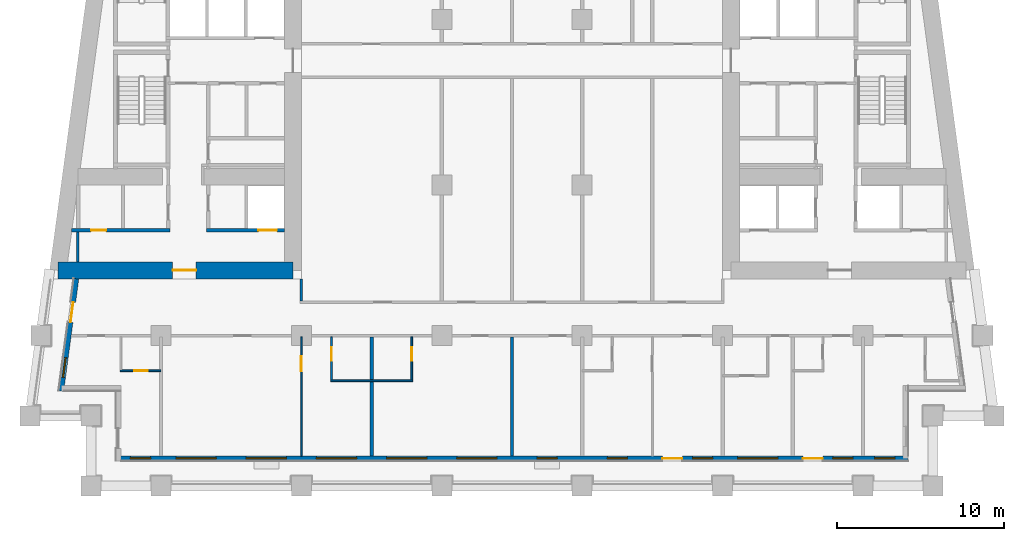
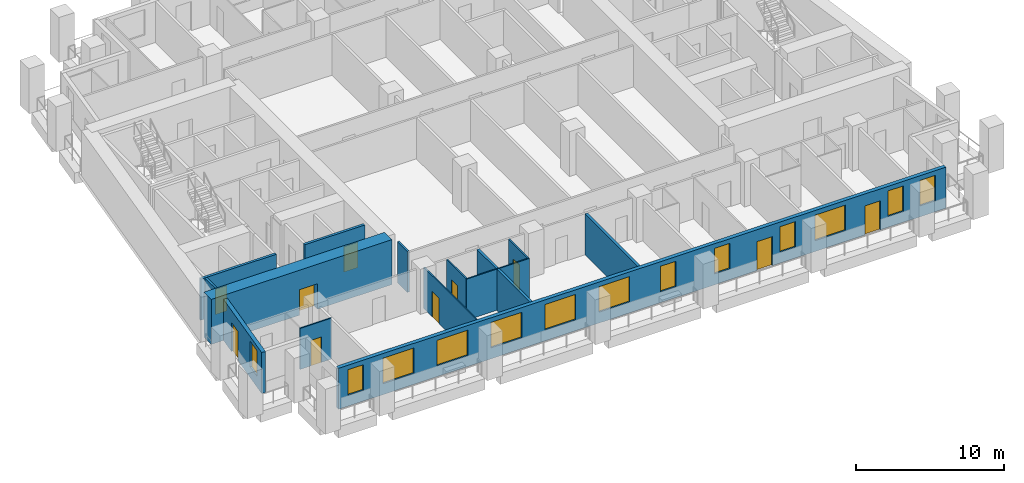
# One storey, part 2 of 13: 14 walls, 13 windows, 10 doors, 23 openings.
"""IFC4 building model written with IfcOpenShell, lengths in metres."""

import ifcopenshell
import ifcopenshell.guid

model = None  # the IFC model being written
_history = None  # IfcOwnerHistory: only IFC2X3 demands one
_inside = {}  # id of a spatial element -> (the spatial element, [elements in it])
_under = {}  # id of a project, library or spatial element -> (it, [spatial elements below it])
_declared = {}  # id of a project -> (the project, [libraries it declares])
_typed = {}  # id of a type object -> (the type object, [elements of that type])
_made_of = {}  # id of a material, layer set ... -> (it, [elements and type objects made of it])


def new_model(schema):
    """Start an empty IFC model of exactly this schema.

    Asked for "IFC4X3", IfcOpenShell would pick the latest addendum, in which some entities
    have other attributes; the version numbers below select the first issue.
    IFC2X3 requires an IfcOwnerHistory on every rooted entity: one is made here for all.
    """
    global model, _history
    if schema == "IFC4X3":
        model = ifcopenshell.file(schema_version=(4, 3, 0, 0))
    else:
        model = ifcopenshell.file(schema=schema)
    _inside.clear()
    _under.clear()
    _declared.clear()
    _typed.clear()
    _made_of.clear()
    _history = None
    if model.schema == "IFC2X3":
        org = make("IfcOrganization", Name="unknown")
        user = make(
            "IfcPersonAndOrganization",
            ThePerson=make("IfcPerson", FamilyName="unknown"),
            TheOrganization=org,
        )
        app = make(
            "IfcApplication",
            ApplicationDeveloper=org,
            Version="unknown",
            ApplicationFullName="unknown",
            ApplicationIdentifier="unknown",
        )
        _history = make(
            "IfcOwnerHistory",
            OwningUser=user,
            OwningApplication=app,
            ChangeAction="ADDED",
            CreationDate=0,
        )
    return model


def make(cls, **values):
    """One entity of the class cls with the attributes given. An attribute that is None is left unset."""
    return model.create_entity(
        cls, **{name: value for name, value in values.items() if value is not None}
    )


def rooted(cls, **values):
    """An entity with a GlobalId (a new one), such as an element, a storey or a relation."""
    return make(cls, GlobalId=ifcopenshell.guid.new(), OwnerHistory=_history, **values)


def si_unit(unit_type, name, prefix=None):
    """IfcSIUnit, for example si_unit("LENGTHUNIT", "METRE", prefix="MILLI")."""
    return make("IfcSIUnit", UnitType=unit_type, Prefix=prefix, Name=name)


def assignment(units):
    """IfcUnitAssignment: the units of a project."""
    return None if units is None else make("IfcUnitAssignment", Units=units)


def point(xyz):
    """IfcCartesianPoint."""
    return None if xyz is None else make("IfcCartesianPoint", Coordinates=xyz)


def direction(xyz):
    """IfcDirection."""
    return None if xyz is None else make("IfcDirection", DirectionRatios=xyz)


def frame(location, z_axis=None, x_axis=None):
    """IfcAxis2Placement3D, a coordinate frame: its origin and axes. An axis left out is left unset."""
    return make(
        "IfcAxis2Placement3D",
        Location=point(location),
        Axis=direction(z_axis),
        RefDirection=direction(x_axis),
    )


def frame_2d(location, x_axis=None):
    """IfcAxis2Placement2D, a coordinate frame in the plane: its origin and x axis."""
    return make(
        "IfcAxis2Placement2D", Location=point(location), RefDirection=direction(x_axis)
    )


def origin():
    """The frame at (0, 0, 0) with its axes left unset."""
    return frame((0.0, 0.0, 0.0))


def place(relative_to, where):
    """IfcLocalPlacement: puts the frame where relative to a parent placement (None: the world)."""
    return make(
        "IfcLocalPlacement", PlacementRelTo=relative_to, RelativePlacement=where
    )


def context(
    kind, dimensions, precision=None, world=None, true_north=None, identifier=None
):
    """IfcGeometricRepresentationContext, for example the 3D "Model" context."""
    return make(
        "IfcGeometricRepresentationContext",
        ContextIdentifier=identifier,
        ContextType=kind,
        CoordinateSpaceDimension=dimensions,
        Precision=precision,
        WorldCoordinateSystem=world,
        TrueNorth=true_north,
    )


def subcontext(parent, identifier, kind, view, scale=None):
    """IfcGeometricRepresentationSubContext, for example "Body" below "Model"."""
    return make(
        "IfcGeometricRepresentationSubContext",
        ContextIdentifier=identifier,
        ContextType=kind,
        ParentContext=parent,
        TargetScale=scale,
        TargetView=view,
    )


def project(units=None, contexts=None):
    """IfcProject with its units and contexts."""
    return rooted(
        "IfcProject",
        Name="project",
        RepresentationContexts=contexts,
        UnitsInContext=assignment(units),
    )


def spatial(cls, under=None, at=None, **own):
    """A site, building, storey or space (cls), placed at a placement, below another one or the project."""
    s = rooted(cls, ObjectPlacement=at, **own)
    if under is not None:
        _under.setdefault(under.id(), (under, []))[1].append(s)
    return s


def profile(cls, at=None, kind="AREA", **sizes):
    """A parametric profile (cls). Its sizes go by their IFC names, for example OverallWidth=200.0."""
    return make(cls, ProfileType=kind, Position=at, **sizes)


def rectangle(**sizes):
    """IfcRectangleProfileDef."""
    return profile("IfcRectangleProfileDef", **sizes)


def extrude(swept, where, along, depth):
    """IfcExtrudedAreaSolid: the profile swept, set in the frame where, extruded along a direction by depth."""
    return make(
        "IfcExtrudedAreaSolid",
        SweptArea=swept,
        Position=where,
        ExtrudedDirection=direction(along),
        Depth=depth,
    )


def shape(context_of_items, identifier, shape_type, items):
    """IfcShapeRepresentation: the items that make up one representation, for example the "Body"."""
    return make(
        "IfcShapeRepresentation",
        ContextOfItems=context_of_items,
        RepresentationIdentifier=identifier,
        RepresentationType=shape_type,
        Items=items,
    )


def material(Name=None, Category=None):
    """IfcMaterial."""
    return make("IfcMaterial", Name=Name, Category=Category)


def layer(
    of_material, thickness, ventilated=None, Name=None, Category=None, Priority=None
):
    """IfcMaterialLayer: one layer of a wall or slab, of a material (None: an air gap)."""
    return make(
        "IfcMaterialLayer",
        Material=of_material,
        LayerThickness=thickness,
        IsVentilated=ventilated,
        Name=Name,
        Category=Category,
        Priority=Priority,
    )


def layer_set(layers, Name=None):
    """IfcMaterialLayerSet."""
    return make("IfcMaterialLayerSet", MaterialLayers=layers, LayerSetName=Name)


def made_of(thing, what):
    """Note that an element or type object is made of a material, layer set ...; save() writes the relation."""
    if what is not None:
        _made_of.setdefault(what.id(), (what, []))[1].append(thing)
    return thing


def type_object(cls, material=None, **own):
    """A type object (cls), such as IfcWallType, which elements share."""
    return made_of(rooted(cls, **own), material)


def element(
    cls,
    number,
    at=None,
    inside=None,
    cuts=None,
    type_object=None,
    material=None,
    context=None,
    identifier="Body",
    shape_type=None,
    held_by="IfcProductDefinitionShape",
    body=None,
    shapes=None,
    **own,
):
    """One element of the class cls, such as IfcWall. Its Tag is "e" and its number.

    at: its placement. inside: the storey or other place that contains it. cuts: it is an
    opening in that element (IfcRelVoidsElement). A single representation is given by context,
    identifier, shape_type and body (its items); several are given by shapes. held_by: the class
    of the entity that holds the representations. save() writes the other relations.
    """
    e = rooted(cls, Tag="e%d" % number, ObjectPlacement=at, **own)
    if body is not None:
        shapes = [shape(context, identifier, shape_type, body)]
    if shapes is not None:
        e.Representation = make(held_by, Representations=shapes)
    if inside is not None:
        _inside.setdefault(inside.id(), (inside, []))[1].append(e)
    if cuts is not None:
        rooted(
            "IfcRelVoidsElement", RelatingBuildingElement=cuts, RelatedOpeningElement=e
        )
    if type_object is not None:
        _typed.setdefault(type_object.id(), (type_object, []))[1].append(e)
    return made_of(e, material)


def fill(opening, filler):
    """IfcRelFillsElement: the door or window that sits in an opening."""
    return rooted(
        "IfcRelFillsElement",
        RelatingOpeningElement=opening,
        RelatedBuildingElement=filler,
    )


def aggregate(whole, parts):
    """IfcRelAggregates: a whole, such as a stair, and the parts it consists of."""
    return rooted("IfcRelAggregates", RelatingObject=whole, RelatedObjects=parts)


def save(model, path):
    """Write the relations noted so far, then the file.

    IfcRelAggregates (storeys below a building ...), IfcRelContainedInSpatialStructure (elements
    in a storey), IfcRelDefinesByType, IfcRelAssociatesMaterial and IfcRelDeclares: one each for
    every whole, place, type object, material and project.
    """
    for whole, parts in _under.values():
        aggregate(whole, parts)
    for where, things in _inside.values():
        rooted(
            "IfcRelContainedInSpatialStructure",
            RelatedElements=things,
            RelatingStructure=where,
        )
    for kind, things in _typed.values():
        rooted("IfcRelDefinesByType", RelatedObjects=things, RelatingType=kind)
    for what, things in _made_of.values():
        rooted("IfcRelAssociatesMaterial", RelatedObjects=things, RelatingMaterial=what)
    for by, libraries in _declared.values():
        rooted("IfcRelDeclares", RelatingContext=by, RelatedDefinitions=libraries)
    model.write(path)


model = new_model("IFC4")

# Units and contexts
model_context = context("Model", 3, precision=1e-05, world=origin(), true_north=direction((0.0, 1.0)))
body_context = subcontext(model_context, "Body", "Model", "MODEL_VIEW")
ifc_project = project(units=[si_unit("LENGTHUNIT", "METRE"), si_unit("AREAUNIT", "SQUARE_METRE"), si_unit("VOLUMEUNIT", "CUBIC_METRE"), si_unit("PLANEANGLEUNIT", "RADIAN"), si_unit("MASSUNIT", "GRAM", prefix="KILO")], contexts=[model_context])

# Site, building, storey
site_placement = place(None, origin())
site = spatial("IfcSite", under=ifc_project, at=site_placement, CompositionType="ELEMENT")
building_placement = place(site_placement, origin())
building = spatial("IfcBuilding", under=site, at=building_placement, Name="Candeia Pilgrim Tower and Theatre", CompositionType="ELEMENT")
storey_placement = place(building_placement, frame((0.0, 0.0, 109.5)))
storey = spatial("IfcBuildingStorey", under=building, at=storey_placement, Name="L25", CompositionType="ELEMENT", Elevation=109.5)

# Wall, opening, door
ifc_material_1 = material(Name="Concrete C70/85", Category="concrete")
ifc_layer_1 = layer(ifc_material_1, 1.0)
ifc_layer_set_1 = layer_set([ifc_layer_1], Name="Core wall 1000 C70/85")
wall_type_1 = type_object("IfcWallType", Name="Core wall 1000 C70/85", PredefinedType="SHEAR", material=ifc_layer_set_1)
wall_1_placement = place(storey_placement, frame((100.300048828125, 110.89990234375, 0.0), z_axis=(0.0, 0.0, 1.0), x_axis=(-1.0, 0.0, 0.0)))
wall_1 = element("IfcWall", 1, at=wall_1_placement, inside=storey, type_object=wall_type_1, Name="Core wall W3", PredefinedType="SHEAR", context=body_context, shape_type="SweptSolid", body=[
    extrude(rectangle(XDim=14.05908203125, YDim=1.0, at=frame_2d((7.029541015625, 0.0))), origin(), (0.0, 0.0, 1.0), 3.699951171875),
])
opening_1_placement = place(wall_1_placement, frame((5.801513671875, 0.0, 0.0)))
opening_1 = element("IfcOpeningElement", 2, at=opening_1_placement, cuts=wall_1, Name="Opening L25-D061", PredefinedType="OPENING", context=body_context, shape_type="SweptSolid", body=[
    extrude(rectangle(XDim=1.39990234375, YDim=2.10009765625, at=frame_2d((0.699951171875, 1.050048828125))), frame((0.0, 0.510009765625, 0.0), z_axis=(0.0, -1.0, 0.0), x_axis=(1.0, 0.0, 0.0)), (0.0, 0.0, 1.0), 1.02001953125),
])
ifc_material_2 = material(Name="Steel fire door set", Category="steel")
door_type_1 = type_object("IfcDoorType", Name="D-1400-FD60", OperationType="NOTDEFINED", PredefinedType="DOOR", material=ifc_material_2)
door_1_placement = place(opening_1_placement, origin())
door_1 = element("IfcDoor", 3, at=door_1_placement, inside=storey, type_object=door_type_1, Name="Door L25-D061", OperationType="SINGLE_SWING_RIGHT", OverallHeight=2.10009765625, OverallWidth=1.39990234375, PredefinedType="DOOR", context=body_context, shape_type="SweptSolid", body=[
    extrude(rectangle(XDim=1.39990234375, YDim=2.10009765625, at=frame_2d((0.699951171875, 1.050048828125))), frame((0.0, 0.02490234375, 0.0), z_axis=(0.0, -1.0, 0.0), x_axis=(1.0, 0.0, 0.0)), (0.0, 0.0, 1.0), 0.050048828125),
])
fill(opening_1, door_1)

# Wall, openings, doors, windows
ifc_material_3 = material(Name="Ceramic block masonry", Category="masonry")
ifc_layer_2 = layer(ifc_material_3, 0.300048828125)
ifc_layer_set_2 = layer_set([ifc_layer_2], Name="EW1 glazing-line wall 300")
wall_type_2 = type_object("IfcWallType", Name="EW1 glazing-line wall 300", PredefinedType="SOLIDWALL", material=ifc_layer_set_2)
wall_2_placement = place(storey_placement, frame((89.85009765625, 99.64990234375, 0.0), z_axis=(0.0, 0.0, 1.0), x_axis=(1.0, 0.0, 0.0)))
wall_2 = element("IfcWall", 4, at=wall_2_placement, inside=storey, type_object=wall_type_2, Name="External wall L25-0.0", PredefinedType="SOLIDWALL", context=body_context, shape_type="SweptSolid", body=[
    extrude(rectangle(XDim=47.25, YDim=0.300048828125, at=frame_2d((23.625, 0.0))), origin(), (0.0, 0.0, 1.0), 3.3798828125),
])
opening_2_placement = place(wall_2_placement, frame((0.72509765625, 0.0, 0.89990234375)))
opening_2 = element("IfcOpeningElement", 5, at=opening_2_placement, cuts=wall_2, Name="Opening W-B", PredefinedType="OPENING", context=body_context, shape_type="SweptSolid", body=[
    extrude(rectangle(XDim=1.199951171875, YDim=2.10009765625, at=frame_2d((0.60009765625, 1.050048828125))), frame((0.0, 0.16015625, 0.0), z_axis=(0.0, -1.0, 0.0), x_axis=(1.0, 0.0, 0.0)), (0.0, 0.0, 1.0), 0.320068359375),
])
opening_3_placement = place(wall_2_placement, frame((3.449951171875, 0.0, 0.89990234375)))
opening_3 = element("IfcOpeningElement", 6, at=opening_3_placement, cuts=wall_2, Name="Opening W-A", PredefinedType="OPENING", context=body_context, shape_type="SweptSolid", body=[
    extrude(rectangle(XDim=2.39990234375, YDim=2.10009765625, at=frame_2d((1.199951171875, 1.050048828125))), frame((0.0, 0.16015625, 0.0), z_axis=(0.0, -1.0, 0.0), x_axis=(1.0, 0.0, 0.0)), (0.0, 0.0, 1.0), 0.320068359375),
])
opening_4_placement = place(wall_2_placement, frame((7.64990234375, 0.0, 0.89990234375)))
opening_4 = element("IfcOpeningElement", 7, at=opening_4_placement, cuts=wall_2, Name="Opening W-A", PredefinedType="OPENING", context=body_context, shape_type="SweptSolid", body=[
    extrude(rectangle(XDim=2.39990234375, YDim=2.10009765625, at=frame_2d((1.199951171875, 1.050048828125))), frame((0.0, 0.16015625, 0.0), z_axis=(0.0, -1.0, 0.0), x_axis=(1.0, 0.0, 0.0)), (0.0, 0.0, 1.0), 0.320068359375),
])
opening_5_placement = place(wall_2_placement, frame((11.85009765625, 0.0, 0.89990234375)))
opening_5 = element("IfcOpeningElement", 8, at=opening_5_placement, cuts=wall_2, Name="Opening W-A", PredefinedType="OPENING", context=body_context, shape_type="SweptSolid", body=[
    extrude(rectangle(XDim=2.39990234375, YDim=2.10009765625, at=frame_2d((1.199951171875, 1.050048828125))), frame((0.0, 0.16015625, 0.0), z_axis=(0.0, -1.0, 0.0), x_axis=(1.0, 0.0, 0.0)), (0.0, 0.0, 1.0), 0.320068359375),
])
opening_6_placement = place(wall_2_placement, frame((16.050048828125, 0.0, 0.89990234375)))
opening_6 = element("IfcOpeningElement", 9, at=opening_6_placement, cuts=wall_2, Name="Opening W-A", PredefinedType="OPENING", context=body_context, shape_type="SweptSolid", body=[
    extrude(rectangle(XDim=2.39990234375, YDim=2.10009765625, at=frame_2d((1.199951171875, 1.050048828125))), frame((0.0, 0.16015625, 0.0), z_axis=(0.0, -1.0, 0.0), x_axis=(1.0, 0.0, 0.0)), (0.0, 0.0, 1.0), 0.320068359375),
])
opening_7_placement = place(wall_2_placement, frame((20.25, 0.0, 0.89990234375)))
opening_7 = element("IfcOpeningElement", 10, at=opening_7_placement, cuts=wall_2, Name="Opening W-A", PredefinedType="OPENING", context=body_context, shape_type="SweptSolid", body=[
    extrude(rectangle(XDim=2.39990234375, YDim=2.10009765625, at=frame_2d((1.199951171875, 1.050048828125))), frame((0.0, 0.16015625, 0.0), z_axis=(0.0, -1.0, 0.0), x_axis=(1.0, 0.0, 0.0)), (0.0, 0.0, 1.0), 0.320068359375),
])
opening_8_placement = place(wall_2_placement, frame((25.050048828125, 0.0, 0.89990234375)))
opening_8 = element("IfcOpeningElement", 11, at=opening_8_placement, cuts=wall_2, Name="Opening W-B", PredefinedType="OPENING", context=body_context, shape_type="SweptSolid", body=[
    extrude(rectangle(XDim=1.199951171875, YDim=2.10009765625, at=frame_2d((0.60009765625, 1.050048828125))), frame((0.0, 0.16015625, 0.0), z_axis=(0.0, -1.0, 0.0), x_axis=(1.0, 0.0, 0.0)), (0.0, 0.0, 1.0), 0.320068359375),
])
opening_9_placement = place(wall_2_placement, frame((29.25, 0.0, 0.89990234375)))
opening_9 = element("IfcOpeningElement", 12, at=opening_9_placement, cuts=wall_2, Name="Opening W-B", PredefinedType="OPENING", context=body_context, shape_type="SweptSolid", body=[
    extrude(rectangle(XDim=1.199951171875, YDim=2.10009765625, at=frame_2d((0.60009765625, 1.050048828125))), frame((0.0, 0.16015625, 0.0), z_axis=(0.0, -1.0, 0.0), x_axis=(1.0, 0.0, 0.0)), (0.0, 0.0, 1.0), 0.320068359375),
])
opening_10_placement = place(wall_2_placement, frame((32.550048828125, 0.0, 0.0)))
opening_10 = element("IfcOpeningElement", 13, at=opening_10_placement, cuts=wall_2, Name="Opening L25-ED253", PredefinedType="OPENING", context=body_context, shape_type="SweptSolid", body=[
    extrude(rectangle(XDim=1.199951171875, YDim=2.39990234375, at=frame_2d((0.60009765625, 1.199951171875))), frame((0.0, 0.16015625, 0.0), z_axis=(0.0, -1.0, 0.0), x_axis=(1.0, 0.0, 0.0)), (0.0, 0.0, 1.0), 0.320068359375),
])
opening_11_placement = place(wall_2_placement, frame((34.35009765625, 0.0, 0.89990234375)))
opening_11 = element("IfcOpeningElement", 14, at=opening_11_placement, cuts=wall_2, Name="Opening W-B", PredefinedType="OPENING", context=body_context, shape_type="SweptSolid", body=[
    extrude(rectangle(XDim=1.199951171875, YDim=2.10009765625, at=frame_2d((0.60009765625, 1.050048828125))), frame((0.0, 0.16015625, 0.0), z_axis=(0.0, -1.0, 0.0), x_axis=(1.0, 0.0, 0.0)), (0.0, 0.0, 1.0), 0.320068359375),
])
opening_12_placement = place(wall_2_placement, frame((37.050048828125, 0.0, 0.89990234375)))
opening_12 = element("IfcOpeningElement", 15, at=opening_12_placement, cuts=wall_2, Name="Opening W-A", PredefinedType="OPENING", context=body_context, shape_type="SweptSolid", body=[
    extrude(rectangle(XDim=2.39990234375, YDim=2.10009765625, at=frame_2d((1.199951171875, 1.050048828125))), frame((0.0, 0.16015625, 0.0), z_axis=(0.0, -1.0, 0.0), x_axis=(1.0, 0.0, 0.0)), (0.0, 0.0, 1.0), 0.320068359375),
])
opening_13_placement = place(wall_2_placement, frame((40.949951171875, 0.0, 0.0)))
opening_13 = element("IfcOpeningElement", 16, at=opening_13_placement, cuts=wall_2, Name="Opening L25-ED254", PredefinedType="OPENING", context=body_context, shape_type="SweptSolid", body=[
    extrude(rectangle(XDim=1.199951171875, YDim=2.39990234375, at=frame_2d((0.60009765625, 1.199951171875))), frame((0.0, 0.16015625, 0.0), z_axis=(0.0, -1.0, 0.0), x_axis=(1.0, 0.0, 0.0)), (0.0, 0.0, 1.0), 0.320068359375),
])
opening_14_placement = place(wall_2_placement, frame((42.75, 0.0, 0.89990234375)))
opening_14 = element("IfcOpeningElement", 17, at=opening_14_placement, cuts=wall_2, Name="Opening W-B", PredefinedType="OPENING", context=body_context, shape_type="SweptSolid", body=[
    extrude(rectangle(XDim=1.199951171875, YDim=2.10009765625, at=frame_2d((0.60009765625, 1.050048828125))), frame((0.0, 0.16015625, 0.0), z_axis=(0.0, -1.0, 0.0), x_axis=(1.0, 0.0, 0.0)), (0.0, 0.0, 1.0), 0.320068359375),
])
opening_15_placement = place(wall_2_placement, frame((45.25, 0.0, 0.89990234375)))
opening_15 = element("IfcOpeningElement", 18, at=opening_15_placement, cuts=wall_2, Name="Opening W-B", PredefinedType="OPENING", context=body_context, shape_type="SweptSolid", body=[
    extrude(rectangle(XDim=1.199951171875, YDim=2.10009765625, at=frame_2d((0.60009765625, 1.050048828125))), frame((0.0, 0.16015625, 0.0), z_axis=(0.0, -1.0, 0.0), x_axis=(1.0, 0.0, 0.0)), (0.0, 0.0, 1.0), 0.320068359375),
])
ifc_material_4 = material(Name="Aluminium framed glazed door", Category="aluminium")
door_type_2 = type_object("IfcDoorType", Name="Loggia door 1200x2400", OperationType="DOUBLE_DOOR_SINGLE_SWING", PredefinedType="DOOR", material=ifc_material_4)
door_2_placement = place(opening_10_placement, origin())
door_2 = element("IfcDoor", 19, at=door_2_placement, inside=storey, type_object=door_type_2, Name="Loggia door L25-ED253", OperationType="DOUBLE_DOOR_SINGLE_SWING", OverallHeight=2.39990234375, OverallWidth=1.199951171875, PredefinedType="DOOR", context=body_context, shape_type="SweptSolid", body=[
    extrude(rectangle(XDim=1.199951171875, YDim=2.39990234375, at=frame_2d((0.60009765625, 1.199951171875))), frame((0.0, 0.02490234375, 0.0), z_axis=(0.0, -1.0, 0.0), x_axis=(1.0, 0.0, 0.0)), (0.0, 0.0, 1.0), 0.050048828125),
])
fill(opening_10, door_2)
door_3_placement = place(opening_13_placement, origin())
door_3 = element("IfcDoor", 20, at=door_3_placement, inside=storey, type_object=door_type_2, Name="Loggia door L25-ED254", OperationType="DOUBLE_DOOR_SINGLE_SWING", OverallHeight=2.39990234375, OverallWidth=1.199951171875, PredefinedType="DOOR", context=body_context, shape_type="SweptSolid", body=[
    extrude(rectangle(XDim=1.199951171875, YDim=2.39990234375, at=frame_2d((0.60009765625, 1.199951171875))), frame((0.0, 0.02490234375, 0.0), z_axis=(0.0, -1.0, 0.0), x_axis=(1.0, 0.0, 0.0)), (0.0, 0.0, 1.0), 0.050048828125),
])
fill(opening_13, door_3)
ifc_material_5 = material(Name="Aluminium framed double glazing", Category="aluminium")
window_type_1 = type_object("IfcWindowType", Name="W-A window 2400x2100", PartitioningType="DOUBLE_PANEL_VERTICAL", PredefinedType="WINDOW", material=ifc_material_5)
window_1_placement = place(opening_3_placement, origin())
window_1 = element("IfcWindow", 21, at=window_1_placement, inside=storey, type_object=window_type_1, Name="Window W-A L25", OverallHeight=2.10009765625, OverallWidth=2.39990234375, PartitioningType="SINGLE_PANEL", PredefinedType="WINDOW", context=body_context, shape_type="SweptSolid", body=[
    extrude(rectangle(XDim=2.39990234375, YDim=2.10009765625, at=frame_2d((1.199951171875, 1.050048828125))), frame((0.0, 0.030029296875, 0.0), z_axis=(0.0, -1.0, 0.0), x_axis=(1.0, 0.0, 0.0)), (0.0, 0.0, 1.0), 0.06005859375),
])
fill(opening_3, window_1)
window_2_placement = place(opening_4_placement, origin())
window_2 = element("IfcWindow", 22, at=window_2_placement, inside=storey, type_object=window_type_1, Name="Window W-A L25", OverallHeight=2.10009765625, OverallWidth=2.39990234375, PartitioningType="SINGLE_PANEL", PredefinedType="WINDOW", context=body_context, shape_type="SweptSolid", body=[
    extrude(rectangle(XDim=2.39990234375, YDim=2.10009765625, at=frame_2d((1.199951171875, 1.050048828125))), frame((0.0, 0.030029296875, 0.0), z_axis=(0.0, -1.0, 0.0), x_axis=(1.0, 0.0, 0.0)), (0.0, 0.0, 1.0), 0.06005859375),
])
fill(opening_4, window_2)
window_3_placement = place(opening_5_placement, origin())
window_3 = element("IfcWindow", 23, at=window_3_placement, inside=storey, type_object=window_type_1, Name="Window W-A L25", OverallHeight=2.10009765625, OverallWidth=2.39990234375, PartitioningType="SINGLE_PANEL", PredefinedType="WINDOW", context=body_context, shape_type="SweptSolid", body=[
    extrude(rectangle(XDim=2.39990234375, YDim=2.10009765625, at=frame_2d((1.199951171875, 1.050048828125))), frame((0.0, 0.030029296875, 0.0), z_axis=(0.0, -1.0, 0.0), x_axis=(1.0, 0.0, 0.0)), (0.0, 0.0, 1.0), 0.06005859375),
])
fill(opening_5, window_3)
window_4_placement = place(opening_6_placement, origin())
window_4 = element("IfcWindow", 24, at=window_4_placement, inside=storey, type_object=window_type_1, Name="Window W-A L25", OverallHeight=2.10009765625, OverallWidth=2.39990234375, PartitioningType="SINGLE_PANEL", PredefinedType="WINDOW", context=body_context, shape_type="SweptSolid", body=[
    extrude(rectangle(XDim=2.39990234375, YDim=2.10009765625, at=frame_2d((1.199951171875, 1.050048828125))), frame((0.0, 0.030029296875, 0.0), z_axis=(0.0, -1.0, 0.0), x_axis=(1.0, 0.0, 0.0)), (0.0, 0.0, 1.0), 0.06005859375),
])
fill(opening_6, window_4)
window_5_placement = place(opening_7_placement, origin())
window_5 = element("IfcWindow", 25, at=window_5_placement, inside=storey, type_object=window_type_1, Name="Window W-A L25", OverallHeight=2.10009765625, OverallWidth=2.39990234375, PartitioningType="SINGLE_PANEL", PredefinedType="WINDOW", context=body_context, shape_type="SweptSolid", body=[
    extrude(rectangle(XDim=2.39990234375, YDim=2.10009765625, at=frame_2d((1.199951171875, 1.050048828125))), frame((0.0, 0.030029296875, 0.0), z_axis=(0.0, -1.0, 0.0), x_axis=(1.0, 0.0, 0.0)), (0.0, 0.0, 1.0), 0.06005859375),
])
fill(opening_7, window_5)
window_6_placement = place(opening_12_placement, origin())
window_6 = element("IfcWindow", 26, at=window_6_placement, inside=storey, type_object=window_type_1, Name="Window W-A L25", OverallHeight=2.10009765625, OverallWidth=2.39990234375, PartitioningType="SINGLE_PANEL", PredefinedType="WINDOW", context=body_context, shape_type="SweptSolid", body=[
    extrude(rectangle(XDim=2.39990234375, YDim=2.10009765625, at=frame_2d((1.199951171875, 1.050048828125))), frame((0.0, 0.030029296875, 0.0), z_axis=(0.0, -1.0, 0.0), x_axis=(1.0, 0.0, 0.0)), (0.0, 0.0, 1.0), 0.06005859375),
])
fill(opening_12, window_6)
window_type_2 = type_object("IfcWindowType", Name="W-B window 1200x2100", PartitioningType="SINGLE_PANEL", PredefinedType="WINDOW", material=ifc_material_5)
window_7_placement = place(opening_2_placement, origin())
window_7 = element("IfcWindow", 27, at=window_7_placement, inside=storey, type_object=window_type_2, Name="Window W-B L25", OverallHeight=2.10009765625, OverallWidth=1.199951171875, PartitioningType="SINGLE_PANEL", PredefinedType="WINDOW", context=body_context, shape_type="SweptSolid", body=[
    extrude(rectangle(XDim=1.199951171875, YDim=2.10009765625, at=frame_2d((0.60009765625, 1.050048828125))), frame((0.0, 0.030029296875, 0.0), z_axis=(0.0, -1.0, 0.0), x_axis=(1.0, 0.0, 0.0)), (0.0, 0.0, 1.0), 0.06005859375),
])
fill(opening_2, window_7)
window_8_placement = place(opening_8_placement, origin())
window_8 = element("IfcWindow", 28, at=window_8_placement, inside=storey, type_object=window_type_2, Name="Window W-B L25", OverallHeight=2.10009765625, OverallWidth=1.199951171875, PartitioningType="SINGLE_PANEL", PredefinedType="WINDOW", context=body_context, shape_type="SweptSolid", body=[
    extrude(rectangle(XDim=1.199951171875, YDim=2.10009765625, at=frame_2d((0.60009765625, 1.050048828125))), frame((0.0, 0.030029296875, 0.0), z_axis=(0.0, -1.0, 0.0), x_axis=(1.0, 0.0, 0.0)), (0.0, 0.0, 1.0), 0.06005859375),
])
fill(opening_8, window_8)
window_9_placement = place(opening_9_placement, origin())
window_9 = element("IfcWindow", 29, at=window_9_placement, inside=storey, type_object=window_type_2, Name="Window W-B L25", OverallHeight=2.10009765625, OverallWidth=1.199951171875, PartitioningType="SINGLE_PANEL", PredefinedType="WINDOW", context=body_context, shape_type="SweptSolid", body=[
    extrude(rectangle(XDim=1.199951171875, YDim=2.10009765625, at=frame_2d((0.60009765625, 1.050048828125))), frame((0.0, 0.030029296875, 0.0), z_axis=(0.0, -1.0, 0.0), x_axis=(1.0, 0.0, 0.0)), (0.0, 0.0, 1.0), 0.06005859375),
])
fill(opening_9, window_9)
window_10_placement = place(opening_11_placement, origin())
window_10 = element("IfcWindow", 30, at=window_10_placement, inside=storey, type_object=window_type_2, Name="Window W-B L25", OverallHeight=2.10009765625, OverallWidth=1.199951171875, PartitioningType="SINGLE_PANEL", PredefinedType="WINDOW", context=body_context, shape_type="SweptSolid", body=[
    extrude(rectangle(XDim=1.199951171875, YDim=2.10009765625, at=frame_2d((0.60009765625, 1.050048828125))), frame((0.0, 0.030029296875, 0.0), z_axis=(0.0, -1.0, 0.0), x_axis=(1.0, 0.0, 0.0)), (0.0, 0.0, 1.0), 0.06005859375),
])
fill(opening_11, window_10)
window_11_placement = place(opening_14_placement, origin())
window_11 = element("IfcWindow", 31, at=window_11_placement, inside=storey, type_object=window_type_2, Name="Window W-B L25", OverallHeight=2.10009765625, OverallWidth=1.199951171875, PartitioningType="SINGLE_PANEL", PredefinedType="WINDOW", context=body_context, shape_type="SweptSolid", body=[
    extrude(rectangle(XDim=1.199951171875, YDim=2.10009765625, at=frame_2d((0.60009765625, 1.050048828125))), frame((0.0, 0.030029296875, 0.0), z_axis=(0.0, -1.0, 0.0), x_axis=(1.0, 0.0, 0.0)), (0.0, 0.0, 1.0), 0.06005859375),
])
fill(opening_14, window_11)
window_12_placement = place(opening_15_placement, origin())
window_12 = element("IfcWindow", 32, at=window_12_placement, inside=storey, type_object=window_type_2, Name="Window W-B L25", OverallHeight=2.10009765625, OverallWidth=1.199951171875, PartitioningType="SINGLE_PANEL", PredefinedType="WINDOW", context=body_context, shape_type="SweptSolid", body=[
    extrude(rectangle(XDim=1.199951171875, YDim=2.10009765625, at=frame_2d((0.60009765625, 1.050048828125))), frame((0.0, 0.030029296875, 0.0), z_axis=(0.0, -1.0, 0.0), x_axis=(1.0, 0.0, 0.0)), (0.0, 0.0, 1.0), 0.06005859375),
])
fill(opening_15, window_12)

# Wall, openings, door, window
wall_3_placement = place(storey_placement, frame((87.334228515625, 110.39990234375, 0.0), z_axis=(0.0, 0.0, 1.0), x_axis=(-0.133437175554, -0.991057273915, 0.0)))
wall_3 = element("IfcWall", 33, at=wall_3_placement, inside=storey, type_object=wall_type_2, Name="External wall L25-9.1", PredefinedType="SOLIDWALL", context=body_context, shape_type="SweptSolid", body=[
    extrude(rectangle(XDim=6.780517578125, YDim=0.300048828125, at=frame_2d((3.39013671875, 0.0))), origin(), (0.0, 0.0, 1.0), 3.3798828125),
])
opening_16_placement = place(wall_3_placement, frame((1.41796875, 0.0, 0.0)))
opening_16 = element("IfcOpeningElement", 34, at=opening_16_placement, cuts=wall_3, Name="Opening L25-ED261", PredefinedType="OPENING", context=body_context, shape_type="SweptSolid", body=[
    extrude(rectangle(XDim=1.199951171875, YDim=2.39990234375, at=frame_2d((0.60009765625, 1.199951171875))), frame((0.0, 0.16015625, 0.0), z_axis=(0.0, -1.0, 0.0), x_axis=(1.0, 0.0, 0.0)), (0.0, 0.0, 1.0), 0.320068359375),
])
opening_17_placement = place(wall_3_placement, frame((4.75830078125, 0.0, 0.89990234375)))
opening_17 = element("IfcOpeningElement", 35, at=opening_17_placement, cuts=wall_3, Name="Opening W-B", PredefinedType="OPENING", context=body_context, shape_type="SweptSolid", body=[
    extrude(rectangle(XDim=1.199951171875, YDim=2.10009765625, at=frame_2d((0.60009765625, 1.050048828125))), frame((0.0, 0.16015625, 0.0), z_axis=(0.0, -1.0, 0.0), x_axis=(1.0, 0.0, 0.0)), (0.0, 0.0, 1.0), 0.320068359375),
])
door_4_placement = place(opening_16_placement, origin())
door_4 = element("IfcDoor", 36, at=door_4_placement, inside=storey, type_object=door_type_2, Name="Loggia door L25-ED261", OperationType="DOUBLE_DOOR_SINGLE_SWING", OverallHeight=2.39990234375, OverallWidth=1.199951171875, PredefinedType="DOOR", context=body_context, shape_type="SweptSolid", body=[
    extrude(rectangle(XDim=1.199951171875, YDim=2.39990234375, at=frame_2d((0.60009765625, 1.199951171875))), frame((0.0, 0.02490234375, 0.0), z_axis=(0.0, -1.0, 0.0), x_axis=(1.0, 0.0, 0.0)), (0.0, 0.0, 1.0), 0.050048828125),
])
fill(opening_16, door_4)
window_13_placement = place(opening_17_placement, origin())
window_13 = element("IfcWindow", 37, at=window_13_placement, inside=storey, type_object=window_type_2, Name="Window W-B L25", OverallHeight=2.10009765625, OverallWidth=1.199951171875, PartitioningType="SINGLE_PANEL", PredefinedType="WINDOW", context=body_context, shape_type="SweptSolid", body=[
    extrude(rectangle(XDim=1.199951171875, YDim=2.10009765625, at=frame_2d((0.60009765625, 1.050048828125))), frame((0.0, 0.030029296875, 0.0), z_axis=(0.0, -1.0, 0.0), x_axis=(1.0, 0.0, 0.0)), (0.0, 0.0, 1.0), 0.06005859375),
])
fill(opening_17, window_13)

# Wall
ifc_material_6 = material(Name="Gypsum board partition on steel studs", Category="steel")
ifc_layer_3 = layer(ifc_material_6, 0.10009765625)
ifc_layer_set_3 = layer_set([ifc_layer_3], Name="PW-100 room partition")
wall_type_3 = type_object("IfcWallType", Name="PW-100 room partition", PredefinedType="PARTITIONING", material=ifc_layer_set_3)
wall_4_placement = place(storey_placement, frame((102.550048828125, 104.300048828125, 0.0), z_axis=(0.0, 0.0, 1.0), x_axis=(1.0, 0.0, 0.0)))
element("IfcWall", 38, at=wall_4_placement, inside=storey, type_object=wall_type_3, Name="Room partition L25-001", PredefinedType="PARTITIONING", context=body_context, shape_type="SweptSolid", body=[
    extrude(rectangle(XDim=4.89990234375, YDim=0.10009765625, at=frame_2d((2.449951171875, 0.0))), origin(), (0.0, 0.0, 1.0), 3.3798828125),
])

# Wall, opening, door
wall_5_placement = place(storey_placement, frame((89.949951171875, 104.89990234375, 0.0), z_axis=(0.0, 0.0, 1.0), x_axis=(1.0, 0.0, 0.0)))
wall_5 = element("IfcWall", 39, at=wall_5_placement, inside=storey, type_object=wall_type_3, Name="Room partition L25-004", PredefinedType="PARTITIONING", context=body_context, shape_type="SweptSolid", body=[
    extrude(rectangle(XDim=2.449951171875, YDim=0.10009765625, at=frame_2d((1.22509765625, 0.0))), origin(), (0.0, 0.0, 1.0), 3.3798828125),
])
opening_18_placement = place(wall_5_placement, frame((0.85009765625, 0.0, 0.0)))
opening_18 = element("IfcOpeningElement", 40, at=opening_18_placement, cuts=wall_5, Name="Opening L25-D018", PredefinedType="OPENING", context=body_context, shape_type="SweptSolid", body=[
    extrude(rectangle(XDim=0.800048828125, YDim=2.10009765625, at=frame_2d((0.39990234375, 1.050048828125))), frame((0.0, 0.06005859375, 0.0), z_axis=(0.0, -1.0, 0.0), x_axis=(1.0, 0.0, 0.0)), (0.0, 0.0, 1.0), 0.1201171875),
])
ifc_material_7 = material(Name="Timber door leaf", Category="wood")
door_type_3 = type_object("IfcDoorType", Name="D-800", OperationType="NOTDEFINED", PredefinedType="DOOR", material=ifc_material_7)
door_5_placement = place(opening_18_placement, origin())
door_5 = element("IfcDoor", 41, at=door_5_placement, inside=storey, type_object=door_type_3, Name="Door L25-D018", OperationType="SINGLE_SWING_LEFT", OverallHeight=2.10009765625, OverallWidth=0.800048828125, PredefinedType="DOOR", context=body_context, shape_type="SweptSolid", body=[
    extrude(rectangle(XDim=0.800048828125, YDim=2.10009765625, at=frame_2d((0.39990234375, 1.050048828125))), frame((0.0, 0.02490234375, 0.0), z_axis=(0.0, -1.0, 0.0), x_axis=(1.0, 0.0, 0.0)), (0.0, 0.0, 1.0), 0.050048828125),
])
fill(opening_18, door_5)

wall_6_placement = place(storey_placement, frame((100.800048828125, 99.7900390625, 0.0), z_axis=(0.0, 0.0, 1.0), x_axis=(0.0, 1.0, 0.0)))
wall_6 = element("IfcWall", 42, at=wall_6_placement, inside=storey, type_object=wall_type_3, Name="Room partition L25-068", PredefinedType="PARTITIONING", context=body_context, shape_type="SweptSolid", body=[
    extrude(rectangle(XDim=7.135009765625, YDim=0.10009765625, at=frame_2d((3.5673828125, 0.0))), origin(), (0.0, 0.0, 1.0), 3.3798828125),
])
opening_19_placement = place(wall_6_placement, frame((5.074951171875, 0.0, 0.0)))
opening_19 = element("IfcOpeningElement", 43, at=opening_19_placement, cuts=wall_6, Name="Opening L25-D020", PredefinedType="OPENING", context=body_context, shape_type="SweptSolid", body=[
    extrude(rectangle(XDim=0.89990234375, YDim=2.10009765625, at=frame_2d((0.449951171875, 1.050048828125))), frame((0.0, 0.06005859375, 0.0), z_axis=(0.0, -1.0, 0.0), x_axis=(1.0, 0.0, 0.0)), (0.0, 0.0, 1.0), 0.1201171875),
])
door_type_4 = type_object("IfcDoorType", Name="D-900", OperationType="NOTDEFINED", PredefinedType="DOOR", material=ifc_material_7)
door_6_placement = place(opening_19_placement, origin())
door_6 = element("IfcDoor", 44, at=door_6_placement, inside=storey, type_object=door_type_4, Name="Door L25-D020", OperationType="SINGLE_SWING_LEFT", OverallHeight=2.10009765625, OverallWidth=0.89990234375, PredefinedType="DOOR", context=body_context, shape_type="SweptSolid", body=[
    extrude(rectangle(XDim=0.89990234375, YDim=2.10009765625, at=frame_2d((0.449951171875, 1.050048828125))), frame((0.0, 0.02490234375, 0.0), z_axis=(0.0, -1.0, 0.0), x_axis=(1.0, 0.0, 0.0)), (0.0, 0.0, 1.0), 0.050048828125),
])
fill(opening_19, door_6)

wall_7_placement = place(storey_placement, frame((102.60009765625, 104.35009765625, 0.0), z_axis=(0.0, 0.0, 1.0), x_axis=(0.0, 1.0, 0.0)))
wall_7 = element("IfcWall", 45, at=wall_7_placement, inside=storey, type_object=wall_type_3, Name="Room partition L25-072", PredefinedType="PARTITIONING", context=body_context, shape_type="SweptSolid", body=[
    extrude(rectangle(XDim=2.574951171875, YDim=0.10009765625, at=frame_2d((1.28759765625, 0.0))), origin(), (0.0, 0.0, 1.0), 3.3798828125),
])
opening_20_placement = place(wall_7_placement, frame((1.139892578125, 0.0, 0.0)))
opening_20 = element("IfcOpeningElement", 46, at=opening_20_placement, cuts=wall_7, Name="Opening L25-D021", PredefinedType="OPENING", context=body_context, shape_type="SweptSolid", body=[
    extrude(rectangle(XDim=0.800048828125, YDim=2.10009765625, at=frame_2d((0.39990234375, 1.050048828125))), frame((0.0, 0.06005859375, 0.0), z_axis=(0.0, -1.0, 0.0), x_axis=(1.0, 0.0, 0.0)), (0.0, 0.0, 1.0), 0.1201171875),
])
door_7_placement = place(opening_20_placement, origin())
door_7 = element("IfcDoor", 47, at=door_7_placement, inside=storey, type_object=door_type_3, Name="Door L25-D021", OperationType="SINGLE_SWING_RIGHT", OverallHeight=2.10009765625, OverallWidth=0.800048828125, PredefinedType="DOOR", context=body_context, shape_type="SweptSolid", body=[
    extrude(rectangle(XDim=0.800048828125, YDim=2.10009765625, at=frame_2d((0.39990234375, 1.050048828125))), frame((0.0, 0.02490234375, 0.0), z_axis=(0.0, -1.0, 0.0), x_axis=(1.0, 0.0, 0.0)), (0.0, 0.0, 1.0), 0.050048828125),
])
fill(opening_20, door_7)

wall_8_placement = place(storey_placement, frame((107.39990234375, 104.35009765625, 0.0), z_axis=(0.0, 0.0, 1.0), x_axis=(0.0, 1.0, 0.0)))
wall_8 = element("IfcWall", 48, at=wall_8_placement, inside=storey, type_object=wall_type_3, Name="Room partition L25-076", PredefinedType="PARTITIONING", context=body_context, shape_type="SweptSolid", body=[
    extrude(rectangle(XDim=2.574951171875, YDim=0.10009765625, at=frame_2d((1.28759765625, 0.0))), origin(), (0.0, 0.0, 1.0), 3.3798828125),
])
opening_21_placement = place(wall_8_placement, frame((1.139892578125, 0.0, 0.0)))
opening_21 = element("IfcOpeningElement", 49, at=opening_21_placement, cuts=wall_8, Name="Opening L25-D023", PredefinedType="OPENING", context=body_context, shape_type="SweptSolid", body=[
    extrude(rectangle(XDim=0.800048828125, YDim=2.10009765625, at=frame_2d((0.39990234375, 1.050048828125))), frame((0.0, 0.06005859375, 0.0), z_axis=(0.0, -1.0, 0.0), x_axis=(1.0, 0.0, 0.0)), (0.0, 0.0, 1.0), 0.1201171875),
])
door_8_placement = place(opening_21_placement, origin())
door_8 = element("IfcDoor", 50, at=door_8_placement, inside=storey, type_object=door_type_3, Name="Door L25-D023", OperationType="SINGLE_SWING_RIGHT", OverallHeight=2.10009765625, OverallWidth=0.800048828125, PredefinedType="DOOR", context=body_context, shape_type="SweptSolid", body=[
    extrude(rectangle(XDim=0.800048828125, YDim=2.10009765625, at=frame_2d((0.39990234375, 1.050048828125))), frame((0.0, 0.02490234375, 0.0), z_axis=(0.0, -1.0, 0.0), x_axis=(1.0, 0.0, 0.0)), (0.0, 0.0, 1.0), 0.050048828125),
])
fill(opening_21, door_8)

# Walls
ifc_layer_4 = layer(ifc_material_6, 0.14990234375)
ifc_layer_set_4 = layer_set([ifc_layer_4], Name="PW-150 lobby wall")
wall_type_4 = type_object("IfcWallType", Name="PW-150 lobby wall", PredefinedType="PARTITIONING", material=ifc_layer_set_4)
wall_9_placement = place(storey_placement, frame((87.428955078125, 111.39990234375, 0.0), z_axis=(0.0, 0.0, 1.0), x_axis=(0.0, 1.0, 0.0)))
element("IfcWall", 51, at=wall_9_placement, inside=storey, type_object=wall_type_4, Name="Lobby wall L25-048", PredefinedType="PARTITIONING", context=body_context, shape_type="SweptSolid", body=[
    extrude(rectangle(XDim=1.800048828125, YDim=0.14990234375, at=frame_2d((0.89990234375, 0.0))), origin(), (0.0, 0.0, 1.0), 3.3798828125),
])
ifc_layer_5 = layer(ifc_material_6, 0.14990234375)
ifc_layer_set_5 = layer_set([ifc_layer_5], Name="PW-150 unit wall")
wall_type_5 = type_object("IfcWallType", Name="PW-150 unit wall", PredefinedType="PARTITIONING", material=ifc_layer_set_5)
wall_10_placement = place(storey_placement, frame((100.800048828125, 109.074951171875, 0.0), z_axis=(0.0, 0.0, 1.0), x_axis=(0.0, 1.0, 0.0)))
element("IfcWall", 52, at=wall_10_placement, inside=storey, type_object=wall_type_5, Name="Unit wall L25-070", PredefinedType="PARTITIONING", context=body_context, shape_type="SweptSolid", body=[
    extrude(rectangle(XDim=1.324951171875, YDim=0.14990234375, at=frame_2d((0.66259765625, 0.0))), origin(), (0.0, 0.0, 1.0), 3.3798828125),
])
ifc_layer_6 = layer(ifc_material_6, 0.199951171875)
ifc_layer_set_6 = layer_set([ifc_layer_6], Name="PW-200 party wall")
wall_type_6 = type_object("IfcWallType", Name="PW-200 party wall", PredefinedType="PARTITIONING", material=ifc_layer_set_6)
for number, where, z_axis, x_axis, name in (
    (53, (105.0, 99.7900390625, 0.0), (0.0, 0.0, 1.0), (0.0, 1.0, 0.0), "Party wall L25-074"),
    (54, (113.39990234375, 99.7900390625, 0.0), (0.0, 0.0, 1.0), (0.0, 1.0, 0.0), "Party wall L25-082"),
):
    element("IfcWall", number, at=place(storey_placement, frame(where, z_axis=z_axis, x_axis=x_axis)), inside=storey, type_object=wall_type_6, Name=name, PredefinedType="PARTITIONING", context=body_context, shape_type="SweptSolid", body=[
        extrude(rectangle(XDim=7.135009765625, YDim=0.199951171875, at=frame_2d((3.5673828125, 0.0))), origin(), (0.0, 0.0, 1.0), 3.3798828125),
    ])

# Wall, opening, door
ifc_material_8 = material(Name="Concrete C40/50", Category="concrete")
ifc_layer_7 = layer(ifc_material_8, 0.199951171875)
ifc_layer_set_7 = layer_set([ifc_layer_7], Name="SW-200 shaft wall")
wall_type_7 = type_object("IfcWallType", Name="SW-200 shaft wall", PredefinedType="PARTITIONING", material=ifc_layer_set_7)
wall_11_placement = place(storey_placement, frame((87.03857421875, 113.300048828125, 0.0), z_axis=(0.0, 0.0, 1.0), x_axis=(1.0, 0.0, 0.0)))
wall_11 = element("IfcWall", 55, at=wall_11_placement, inside=storey, type_object=wall_type_7, Name="Shaft wall L25-009", PredefinedType="PARTITIONING", context=body_context, shape_type="SweptSolid", body=[
    extrude(rectangle(XDim=5.888427734375, YDim=0.199951171875, at=frame_2d((2.9443359375, 0.0))), origin(), (0.0, 0.0, 1.0), 3.3798828125),
])
opening_22_placement = place(wall_11_placement, frame((1.180419921875, 0.0, 0.0)))
opening_22 = element("IfcOpeningElement", 56, at=opening_22_placement, cuts=wall_11, Name="Opening L25-D007", PredefinedType="OPENING", context=body_context, shape_type="SweptSolid", body=[
    extrude(rectangle(XDim=0.89990234375, YDim=2.10009765625, at=frame_2d((0.449951171875, 1.050048828125))), frame((0.0, 0.10986328125, 0.0), z_axis=(0.0, -1.0, 0.0), x_axis=(1.0, 0.0, 0.0)), (0.0, 0.0, 1.0), 0.219970703125),
])
door_type_5 = type_object("IfcDoorType", Name="D-900-FD60", OperationType="NOTDEFINED", PredefinedType="DOOR", material=ifc_material_2)
door_9_placement = place(opening_22_placement, origin())
door_9 = element("IfcDoor", 57, at=door_9_placement, inside=storey, type_object=door_type_5, Name="Door L25-D007", OperationType="SINGLE_SWING_LEFT", OverallHeight=2.10009765625, OverallWidth=0.89990234375, PredefinedType="DOOR", context=body_context, shape_type="SweptSolid", body=[
    extrude(rectangle(XDim=0.89990234375, YDim=2.10009765625, at=frame_2d((0.449951171875, 1.050048828125))), frame((0.0, 0.02490234375, 0.0), z_axis=(0.0, -1.0, 0.0), x_axis=(1.0, 0.0, 0.0)), (0.0, 0.0, 1.0), 0.050048828125),
])
fill(opening_22, door_9)

wall_12_placement = place(storey_placement, frame((95.126953125, 113.300048828125, 0.0), z_axis=(0.0, 0.0, 1.0), x_axis=(1.0, 0.0, 0.0)))
wall_12 = element("IfcWall", 58, at=wall_12_placement, inside=storey, type_object=wall_type_7, Name="Shaft wall L25-010", PredefinedType="PARTITIONING", context=body_context, shape_type="SweptSolid", body=[
    extrude(rectangle(XDim=4.673095703125, YDim=0.199951171875, at=frame_2d((2.33642578125, 0.0))), origin(), (0.0, 0.0, 1.0), 3.3798828125),
])
opening_23_placement = place(wall_12_placement, frame((3.10107421875, 0.0, 0.0)))
opening_23 = element("IfcOpeningElement", 59, at=opening_23_placement, cuts=wall_12, Name="Opening L25-LD03", PredefinedType="OPENING", context=body_context, shape_type="SweptSolid", body=[
    extrude(rectangle(XDim=1.10009765625, YDim=2.10009765625, at=frame_2d((0.550048828125, 1.050048828125))), frame((0.0, 0.10986328125, 0.0), z_axis=(0.0, -1.0, 0.0), x_axis=(1.0, 0.0, 0.0)), (0.0, 0.0, 1.0), 0.219970703125),
])
ifc_material_9 = material(Name="Glazed aluminium landing door", Category="aluminium")
door_type_6 = type_object("IfcDoorType", Name="LD-1100-EI120", OperationType="SLIDING_TO_LEFT", PredefinedType="DOOR", material=ifc_material_9)
door_10_placement = place(opening_23_placement, origin())
door_10 = element("IfcDoor", 60, at=door_10_placement, inside=storey, type_object=door_type_6, Name="Landing door 03 L25", OperationType="SLIDING_TO_LEFT", OverallHeight=2.10009765625, OverallWidth=1.10009765625, PredefinedType="DOOR", context=body_context, shape_type="SweptSolid", body=[
    extrude(rectangle(XDim=1.10009765625, YDim=2.10009765625, at=frame_2d((0.550048828125, 1.050048828125))), frame((0.0, 0.02490234375, 0.0), z_axis=(0.0, -1.0, 0.0), x_axis=(1.0, 0.0, 0.0)), (0.0, 0.0, 1.0), 0.050048828125),
])
fill(opening_23, door_10)

save(model, "model.ifc")
